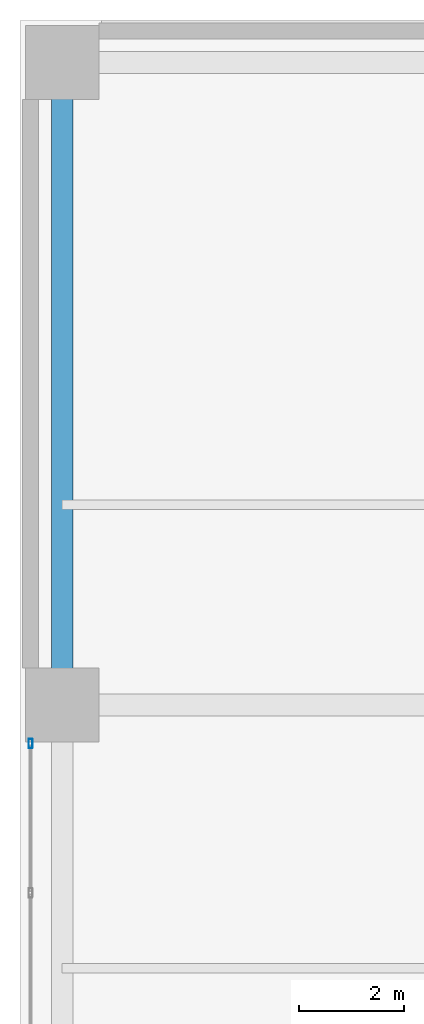
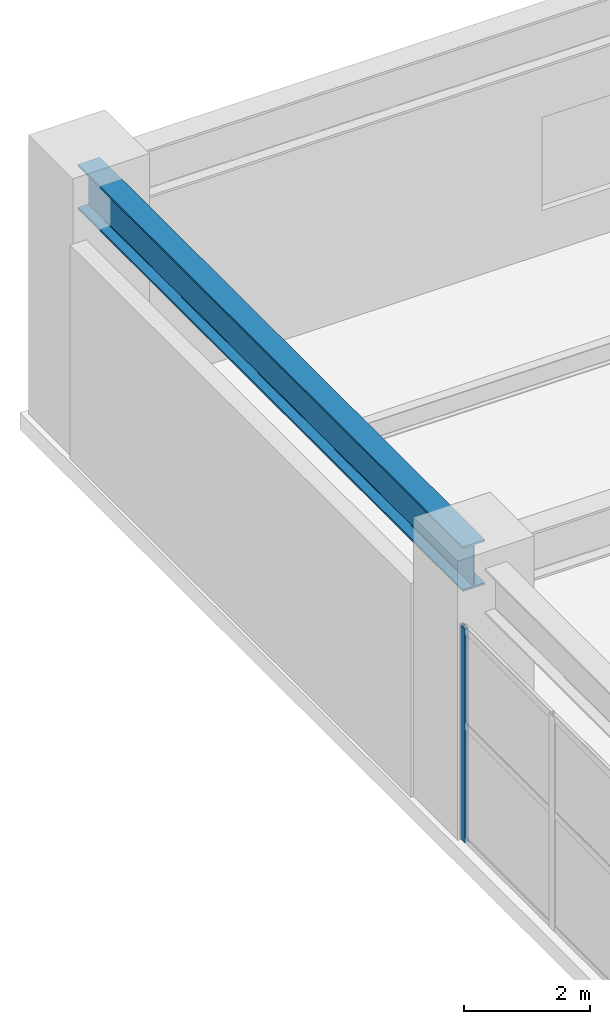
# One storey, part 11 of 28: 1 beam, 1 member, 1 element without a shape of its own.
"""IFC4 building model written with IfcOpenShell, lengths in metres."""

from ifc_helpers import new_model, si_unit, direction, frame, origin, origin_2d, place, context, subcontext, project, spatial, hollow_rectangle, i_section, extrude, material, layer, layer_set, material_profile, profile_set, type_object, element, aggregate, save


model = new_model("IFC4")

# Units and contexts
model_context = context("Model", 3, precision=1e-05, world=origin(), true_north=direction((0.0, 1.0)))
body_context = subcontext(model_context, "Body", "Model", "MODEL_VIEW")
ifc_project = project(units=[si_unit("LENGTHUNIT", "METRE"), si_unit("AREAUNIT", "SQUARE_METRE"), si_unit("VOLUMEUNIT", "CUBIC_METRE"), si_unit("PLANEANGLEUNIT", "RADIAN"), si_unit("MASSUNIT", "GRAM", prefix="KILO")], contexts=[model_context])

# Site, building, storey
site_placement = place(None, origin())
site = spatial("IfcSite", under=ifc_project, at=site_placement, CompositionType="ELEMENT")
building_placement = place(site_placement, origin())
building = spatial("IfcBuilding", under=site, at=building_placement, Name="Soratama Intermodal Tower", CompositionType="ELEMENT")
storey_placement = place(building_placement, frame((0.0, 0.0, 6.0)))
storey = spatial("IfcBuildingStorey", under=building, at=storey_placement, Name="L01", CompositionType="ELEMENT", Elevation=6.0)

# Beam
ifc_material_1 = material(Name="Structural steel ASTM A992 Grade 50", Category="steel")
ifc_material_profile_1 = material_profile(ifc_material_1, i_section(OverallWidth=0.403076171875, OverallDepth=0.867919921875, WebThickness=0.02099609375, FlangeThickness=0.03564453125, FilletRadius=0.01806640625, at=origin_2d()), Name="W33X241")
ifc_profile_set_1 = profile_set([ifc_material_profile_1], Name="Structural steel ASTM A992 Grade 50")
beam_type = type_object("IfcBeamType", Name="BM-POD-EXT-W33", PredefinedType="BEAM", material=ifc_profile_set_1)
beam_placement = place(storey_placement, frame((0.800048828125, 35.0, 4.64599609375), z_axis=(0.0, 1.0, 0.0), x_axis=(-1.0, 0.0, 0.0)))
element("IfcBeam", 1, at=beam_placement, inside=storey, type_object=beam_type, Name="L01 Station Girder Y1-4", PredefinedType="BEAM", context=body_context, shape_type="SweptSolid", body=[
    extrude(i_section(OverallWidth=0.403076171875, OverallDepth=0.867919921875, WebThickness=0.02099609375, FlangeThickness=0.03564453125, FilletRadius=0.01806640625, at=origin_2d()), origin(), (0.0, 0.0, 1.0), 12.199951171875),
])

# Curtain wall, member
ifc_material_2 = material(Name="Double-glazed aluminium curtain wall", Category="aluminium")
ifc_layer = layer(ifc_material_2, 0.159912109375)
ifc_layer_set = layer_set([ifc_layer], Name="Double-glazed aluminium curtain wall")
curtain_wall_type = type_object("IfcCurtainWallType", Name="CW-SYS-1", PredefinedType="NOTDEFINED", material=ifc_layer_set)
curtain_wall_placement = place(storey_placement, origin())
curtain_wall = element("IfcCurtainWall", 2, at=curtain_wall_placement, inside=storey, type_object=curtain_wall_type, Name="L01 Station Curtain Wall W2", PredefinedType="NOTDEFINED")
ifc_material_3 = material(Name="Anodised aluminium AA 6063-T6", Category="aluminium")
ifc_material_profile_2 = material_profile(ifc_material_3, hollow_rectangle(XDim=0.074951171875, YDim=0.179931640625, WallThickness=0.006103515625, InnerFilletRadius=0.006103515625, OuterFilletRadius=0.011962890625, at=origin_2d()), Name="CWM180X75X6")
ifc_profile_set_2 = profile_set([ifc_material_profile_2], Name="Anodised aluminium AA 6063-T6")
member_type = type_object("IfcMemberType", Name="MT-CWM-1", PredefinedType="MULLION", material=ifc_profile_set_2)
member_placement = place(storey_placement, frame((0.199951171875, 34.27001953125, 0.0), z_axis=(0.0, 0.0, 1.0), x_axis=(-1.0, 0.0, 0.0)))
member = element("IfcMember", 3, at=member_placement, type_object=member_type, Name="CW-1 mullion 4", PredefinedType="MULLION", context=body_context, shape_type="SweptSolid", body=[
    extrude(hollow_rectangle(XDim=0.074951171875, YDim=0.179931640625, WallThickness=0.006103515625, InnerFilletRadius=0.006103515625, OuterFilletRadius=0.011962890625, at=origin_2d()), origin(), (0.0, 0.0, 1.0), 4.135986328125),
])
aggregate(curtain_wall, [member])

save(model, "model.ifc")
